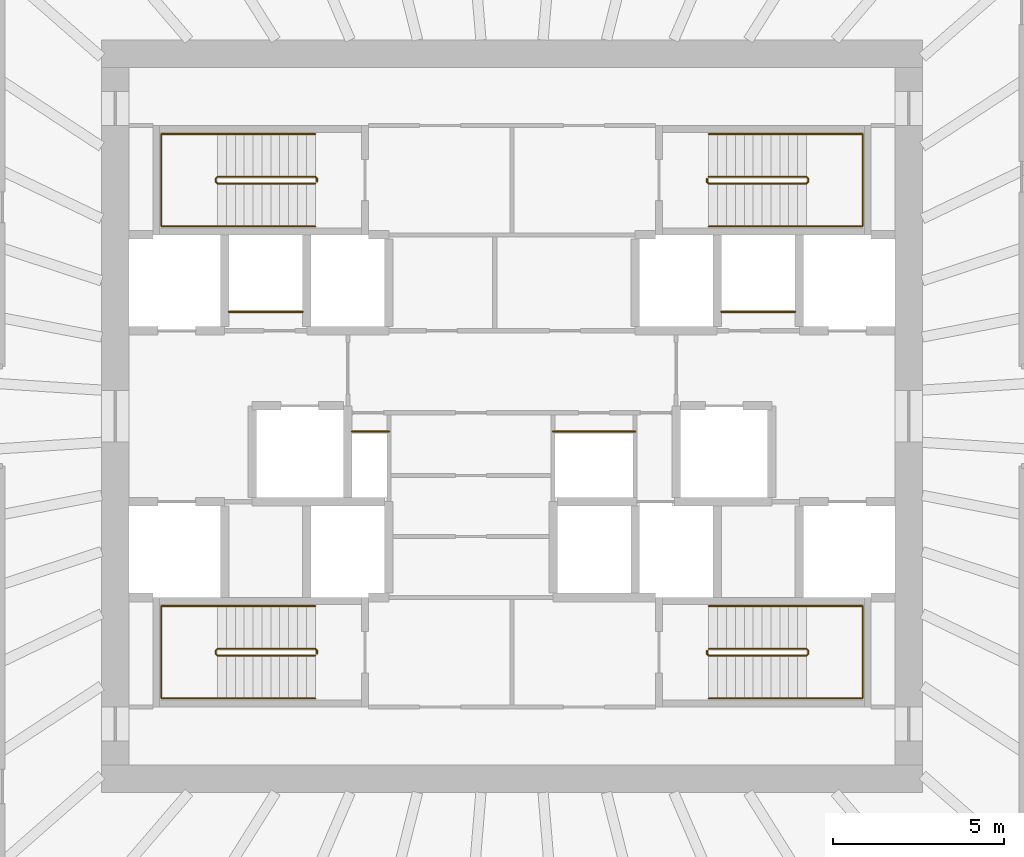
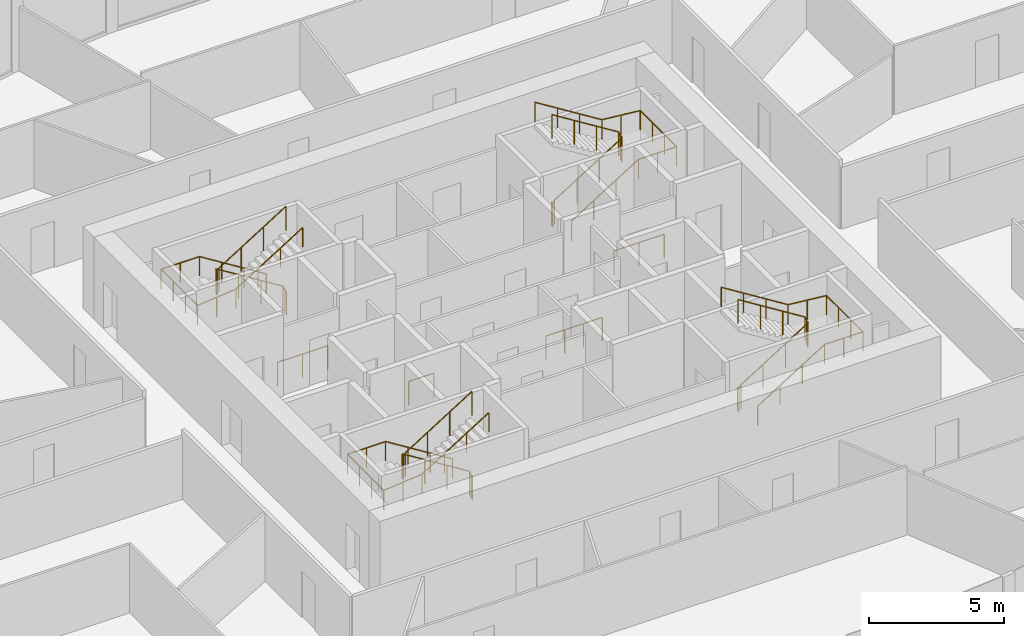
# One storey, part 12 of 12: 12 railings.
"""IFC4 building model written with IfcOpenShell, lengths in metres."""

from ifc_helpers import new_model, si_unit, direction, frame, origin, origin_2d, place, context, subcontext, project, spatial, circle, extrude, source, transform, mapped, material, type_object, element, save


model = new_model("IFC4")

# Units and contexts
model_context = context("Model", 3, precision=1e-05, world=origin(), true_north=direction((0.0, 1.0)))
body_context = subcontext(model_context, "Body", "Model", "MODEL_VIEW")
ifc_project = project(units=[si_unit("LENGTHUNIT", "METRE"), si_unit("AREAUNIT", "SQUARE_METRE"), si_unit("VOLUMEUNIT", "CUBIC_METRE"), si_unit("PLANEANGLEUNIT", "RADIAN"), si_unit("MASSUNIT", "GRAM", prefix="KILO")], contexts=[model_context])

# Site, building, storey
site_placement = place(None, origin())
site = spatial("IfcSite", under=ifc_project, at=site_placement, CompositionType="ELEMENT")
building_placement = place(site_placement, origin())
building = spatial("IfcBuilding", under=site, at=building_placement, Name="Embergate Tower", CompositionType="ELEMENT")
storey_placement = place(building_placement, frame((0.0, 0.0, 222.89990234375)))
storey = spatial("IfcBuildingStorey", under=building, at=storey_placement, Name="L51", CompositionType="ELEMENT", Elevation=222.89990234375)

# Railings
ifc_material_1 = material(Name="Stair guard 1100")
railing_type_1 = type_object("IfcRailingType", Name="Stair guard 1100", PredefinedType="GUARDRAIL", material=ifc_material_1)
shared_shape_1 = source(origin(), body_context, "Body", "SweptSolid", [
    extrude(circle(Radius=0.02392578125, at=origin_2d()), frame((0.0, 0.0, 1.076171875), z_axis=(0.0, 1.0, 0.0), x_axis=(-1.0, 0.0, 0.0)), (0.0, 0.0, 1.0), 0.099853515625),
    extrude(circle(Radius=0.02392578125, at=origin_2d()), frame((0.0, 0.099853515625, 1.076171875), z_axis=(-0.282227285176, 0.282227285176, 0.916894497205), x_axis=(-0.707106781187, -0.707106781187, 0.0)), (0.0, 0.0, 1.0), 0.17724609375),
    extrude(circle(Radius=0.02392578125, at=origin_2d()), frame((-0.050048828125, 0.14990234375, 1.23876953125), z_axis=(-0.847994237388, 0.0, 0.530005446535), x_axis=(0.0, -1.0, 0.0)), (0.0, 0.0, 1.0), 3.372802734375),
    extrude(circle(Radius=0.02392578125, at=origin_2d()), frame((-2.91015625, 0.14990234375, 3.0263671875), z_axis=(-0.705375805398, -0.708833529934, 0.0), x_axis=(0.708833529934, -0.705375805398, 0.0)), (0.0, 0.0, 1.0), 0.070556640625),
    extrude(circle(Radius=0.02392578125, at=origin_2d()), frame((-2.9599609375, 0.099853515625, 3.0263671875), z_axis=(0.0, -1.0, 0.0), x_axis=(1.0, 0.0, 0.0)), (0.0, 0.0, 1.0), 0.099853515625),
    extrude(circle(Radius=0.02392578125, at=origin_2d()), frame((-2.9599609375, 0.0, 3.0263671875), z_axis=(0.281314826061, -0.282693820306, 0.917031173188), x_axis=(0.708833529934, 0.705375805398, 0.0)), (0.0, 0.0, 1.0), 0.177001953125),
    extrude(circle(Radius=0.02392578125, at=origin_2d()), frame((-2.91015625, -0.050048828125, 3.1884765625), z_axis=(0.847994237388, 0.0, 0.530005446535), x_axis=(0.0, 1.0, 0.0)), (0.0, 0.0, 1.0), 3.372802734375),
    extrude(circle(Radius=0.02099609375, at=origin_2d()), origin(), (0.0, 0.0, 1.0), 1.052001953125),
    extrude(circle(Radius=0.02099609375, at=origin_2d()), frame((0.0, 0.099853515625, 0.0)), (0.0, 0.0, 1.0), 1.052001953125),
    extrude(circle(Radius=0.02099609375, at=origin_2d()), frame((-0.050048828125, 0.14990234375, 0.16259765625)), (0.0, 0.0, 1.0), 1.052001953125),
    extrude(circle(Radius=0.02099609375, at=origin_2d()), frame((-1.00341796875, 0.14990234375, 0.758544921875)), (0.0, 0.0, 1.0), 1.052001953125),
    extrude(circle(Radius=0.02099609375, at=origin_2d()), frame((-1.956787109375, 0.14990234375, 1.354248046875)), (0.0, 0.0, 1.0), 1.052001953125),
    extrude(circle(Radius=0.02099609375, at=origin_2d()), frame((-2.91015625, 0.14990234375, 1.9501953125)), (0.0, 0.0, 1.0), 1.052001953125),
    extrude(circle(Radius=0.02099609375, at=origin_2d()), frame((-2.9599609375, 0.099853515625, 1.9501953125)), (0.0, 0.0, 1.0), 1.052001953125),
    extrude(circle(Radius=0.02099609375, at=origin_2d()), frame((-2.9599609375, 0.0, 1.9501953125)), (0.0, 0.0, 1.0), 1.052001953125),
    extrude(circle(Radius=0.02099609375, at=origin_2d()), frame((-2.91015625, -0.050048828125, 2.112548828125)), (0.0, 0.0, 1.0), 1.052001953125),
    extrude(circle(Radius=0.02099609375, at=origin_2d()), frame((-1.956787109375, -0.050048828125, 2.70849609375)), (0.0, 0.0, 1.0), 1.052001953125),
    extrude(circle(Radius=0.02099609375, at=origin_2d()), frame((-1.00341796875, -0.050048828125, 3.30419921875)), (0.0, 0.0, 1.0), 1.052001953125),
    extrude(circle(Radius=0.02099609375, at=origin_2d()), frame((-0.050048828125, -0.050048828125, 3.900146484375)), (0.0, 0.0, 1.0), 1.052001953125),
])
for number, where, name in (
    (1, (-5.699951171875, 6.85009765625, 0.0), "L51 ST1 stair guard 1"),
    (2, (-5.699951171875, -6.949951171875, 0.0), "L51 ST3 stair guard 1"),
):
    element("IfcRailing", number, at=place(storey_placement, frame(where)), inside=storey, type_object=railing_type_1, Name=name, PredefinedType="GUARDRAIL", context=body_context, shape_type="MappedRepresentation", body=[
        mapped(shared_shape_1, transform((0.0, 0.0, 0.0))),
    ])
ifc_material_2 = material(Name="Stair handrail 900")
railing_type_2 = type_object("IfcRailingType", Name="Stair handrail 900", PredefinedType="HANDRAIL", material=ifc_material_2)
shared_shape_2 = source(origin(), body_context, "Body", "SweptSolid", [
    extrude(circle(Radius=0.02392578125, at=origin_2d()), frame((0.0, 0.0, 0.8759765625), z_axis=(-0.847994237388, 0.0, 0.530005446535), x_axis=(0.0, -1.0, 0.0)), (0.0, 0.0, 1.0), 3.372802734375),
    extrude(circle(Radius=0.02392578125, at=origin_2d()), frame((-2.860107421875, 0.0, 2.66357421875), z_axis=(-1.0, 0.0, 0.0), x_axis=(0.0, -1.0, 0.0)), (0.0, 0.0, 1.0), 1.639892578125),
    extrude(circle(Radius=0.02392578125, at=origin_2d()), frame((-4.5, 0.0, 2.66357421875), z_axis=(0.0, -1.0, 0.0), x_axis=(1.0, 0.0, 0.0)), (0.0, 0.0, 1.0), 2.699951171875),
    extrude(circle(Radius=0.02392578125, at=origin_2d()), frame((-4.5, -2.699951171875, 2.66357421875), z_axis=(0.995134983717, 0.0, 0.098520881967), x_axis=(0.0, 1.0, 0.0)), (0.0, 0.0, 1.0), 1.64794921875),
    extrude(circle(Radius=0.02392578125, at=origin_2d()), frame((-2.860107421875, -2.699951171875, 2.82568359375), z_axis=(0.847994237388, 0.0, 0.530005446535), x_axis=(0.0, 1.0, 0.0)), (0.0, 0.0, 1.0), 3.372802734375),
    extrude(circle(Radius=0.02099609375, at=origin_2d()), origin(), (0.0, 0.0, 1.0), 0.851806640625),
    extrude(circle(Radius=0.02099609375, at=origin_2d()), frame((-0.953369140625, 0.0, 0.595947265625)), (0.0, 0.0, 1.0), 0.851806640625),
    extrude(circle(Radius=0.02099609375, at=origin_2d()), frame((-1.90673828125, 0.0, 1.191650390625)), (0.0, 0.0, 1.0), 0.851806640625),
    extrude(circle(Radius=0.02099609375, at=origin_2d()), frame((-2.860107421875, 0.0, 1.78759765625)), (0.0, 0.0, 1.0), 0.851806640625),
    extrude(circle(Radius=0.02099609375, at=origin_2d()), frame((-3.68017578125, 0.0, 1.78759765625)), (0.0, 0.0, 1.0), 0.851806640625),
    extrude(circle(Radius=0.02099609375, at=origin_2d()), frame((-4.5, 0.0, 1.78759765625)), (0.0, 0.0, 1.0), 0.851806640625),
    extrude(circle(Radius=0.02099609375, at=origin_2d()), frame((-4.5, -0.89990234375, 1.78759765625)), (0.0, 0.0, 1.0), 0.851806640625),
    extrude(circle(Radius=0.02099609375, at=origin_2d()), frame((-4.5, -1.800048828125, 1.78759765625)), (0.0, 0.0, 1.0), 0.851806640625),
    extrude(circle(Radius=0.02099609375, at=origin_2d()), frame((-4.5, -2.699951171875, 1.78759765625)), (0.0, 0.0, 1.0), 0.851806640625),
    extrude(circle(Radius=0.02099609375, at=origin_2d()), frame((-3.68017578125, -2.699951171875, 1.86865234375)), (0.0, 0.0, 1.0), 0.851806640625),
    extrude(circle(Radius=0.02099609375, at=origin_2d()), frame((-2.860107421875, -2.699951171875, 1.949951171875)), (0.0, 0.0, 1.0), 0.851806640625),
    extrude(circle(Radius=0.02099609375, at=origin_2d()), frame((-1.90673828125, -2.699951171875, 2.5458984375)), (0.0, 0.0, 1.0), 0.851806640625),
    extrude(circle(Radius=0.02099609375, at=origin_2d()), frame((-0.953369140625, -2.699951171875, 3.1416015625)), (0.0, 0.0, 1.0), 0.851806640625),
    extrude(circle(Radius=0.02099609375, at=origin_2d()), frame((0.0, -2.699951171875, 3.737548828125)), (0.0, 0.0, 1.0), 0.851806640625),
])
for number, where, name in (
    (3, (-5.75, 8.25, 0.16259765625), "L51 ST1 stair handrail 1"),
    (4, (-5.75, -5.550048828125, 0.16259765625), "L51 ST3 stair handrail 1"),
):
    element("IfcRailing", number, at=place(storey_placement, frame(where)), inside=storey, type_object=railing_type_2, Name=name, PredefinedType="HANDRAIL", context=body_context, shape_type="MappedRepresentation", body=[
        mapped(shared_shape_2, transform((0.0, 0.0, 0.0))),
    ])
shared_shape_3 = source(origin(), body_context, "Body", "SweptSolid", [
    extrude(circle(Radius=0.02392578125, at=origin_2d()), frame((0.0, 0.0, 1.076171875), z_axis=(0.0, -1.0, 0.0), x_axis=(1.0, 0.0, 0.0)), (0.0, 0.0, 1.0), 0.099853515625),
    extrude(circle(Radius=0.02392578125, at=origin_2d()), frame((0.0, -0.099853515625, 1.076171875), z_axis=(0.282227285176, -0.282227285176, 0.916894497205), x_axis=(0.707106781187, 0.707106781187, 0.0)), (0.0, 0.0, 1.0), 0.17724609375),
    extrude(circle(Radius=0.02392578125, at=origin_2d()), frame((0.050048828125, -0.14990234375, 1.23876953125), z_axis=(0.847994237388, 0.0, 0.530005446535), x_axis=(0.0, 1.0, 0.0)), (0.0, 0.0, 1.0), 3.372802734375),
    extrude(circle(Radius=0.02392578125, at=origin_2d()), frame((2.91015625, -0.14990234375, 3.0263671875), z_axis=(0.705375805398, 0.708833529934, 0.0), x_axis=(-0.708833529934, 0.705375805398, 0.0)), (0.0, 0.0, 1.0), 0.070556640625),
    extrude(circle(Radius=0.02392578125, at=origin_2d()), frame((2.9599609375, -0.099853515625, 3.0263671875), z_axis=(0.0, 1.0, 0.0), x_axis=(-1.0, 0.0, 0.0)), (0.0, 0.0, 1.0), 0.099853515625),
    extrude(circle(Radius=0.02392578125, at=origin_2d()), frame((2.9599609375, 0.0, 3.0263671875), z_axis=(-0.281314826061, 0.282693820306, 0.917031173188), x_axis=(-0.708833529934, -0.705375805398, 0.0)), (0.0, 0.0, 1.0), 0.177001953125),
    extrude(circle(Radius=0.02392578125, at=origin_2d()), frame((2.91015625, 0.050048828125, 3.1884765625), z_axis=(-0.847994237388, 0.0, 0.530005446535), x_axis=(0.0, -1.0, 0.0)), (0.0, 0.0, 1.0), 3.372802734375),
    extrude(circle(Radius=0.02099609375, at=origin_2d()), origin(), (0.0, 0.0, 1.0), 1.052001953125),
    extrude(circle(Radius=0.02099609375, at=origin_2d()), frame((0.0, -0.099853515625, 0.0)), (0.0, 0.0, 1.0), 1.052001953125),
    extrude(circle(Radius=0.02099609375, at=origin_2d()), frame((0.050048828125, -0.14990234375, 0.16259765625)), (0.0, 0.0, 1.0), 1.052001953125),
    extrude(circle(Radius=0.02099609375, at=origin_2d()), frame((1.00341796875, -0.14990234375, 0.758544921875)), (0.0, 0.0, 1.0), 1.052001953125),
    extrude(circle(Radius=0.02099609375, at=origin_2d()), frame((1.956787109375, -0.14990234375, 1.354248046875)), (0.0, 0.0, 1.0), 1.052001953125),
    extrude(circle(Radius=0.02099609375, at=origin_2d()), frame((2.91015625, -0.14990234375, 1.9501953125)), (0.0, 0.0, 1.0), 1.052001953125),
    extrude(circle(Radius=0.02099609375, at=origin_2d()), frame((2.9599609375, -0.099853515625, 1.9501953125)), (0.0, 0.0, 1.0), 1.052001953125),
    extrude(circle(Radius=0.02099609375, at=origin_2d()), frame((2.9599609375, 0.0, 1.9501953125)), (0.0, 0.0, 1.0), 1.052001953125),
    extrude(circle(Radius=0.02099609375, at=origin_2d()), frame((2.91015625, 0.050048828125, 2.112548828125)), (0.0, 0.0, 1.0), 1.052001953125),
    extrude(circle(Radius=0.02099609375, at=origin_2d()), frame((1.956787109375, 0.050048828125, 2.70849609375)), (0.0, 0.0, 1.0), 1.052001953125),
    extrude(circle(Radius=0.02099609375, at=origin_2d()), frame((1.00341796875, 0.050048828125, 3.30419921875)), (0.0, 0.0, 1.0), 1.052001953125),
    extrude(circle(Radius=0.02099609375, at=origin_2d()), frame((0.050048828125, 0.050048828125, 3.900146484375)), (0.0, 0.0, 1.0), 1.052001953125),
])
for number, where, name in (
    (5, (5.699951171875, 6.949951171875, 0.0), "L51 ST2 stair guard 1"),
    (6, (5.699951171875, -6.85009765625, 0.0), "L51 ST4 stair guard 1"),
):
    element("IfcRailing", number, at=place(storey_placement, frame(where)), inside=storey, type_object=railing_type_1, Name=name, PredefinedType="GUARDRAIL", context=body_context, shape_type="MappedRepresentation", body=[
        mapped(shared_shape_3, transform((0.0, 0.0, 0.0))),
    ])
shared_shape_4 = source(origin(), body_context, "Body", "SweptSolid", [
    extrude(circle(Radius=0.02392578125, at=origin_2d()), frame((0.0, 0.0, 0.8759765625), z_axis=(0.847994237388, 0.0, 0.530005446535), x_axis=(0.0, 1.0, 0.0)), (0.0, 0.0, 1.0), 3.372802734375),
    extrude(circle(Radius=0.02392578125, at=origin_2d()), frame((2.860107421875, 0.0, 2.66357421875), z_axis=(1.0, 0.0, 0.0), x_axis=(0.0, 1.0, 0.0)), (0.0, 0.0, 1.0), 1.639892578125),
    extrude(circle(Radius=0.02392578125, at=origin_2d()), frame((4.5, 0.0, 2.66357421875), z_axis=(0.0, 1.0, 0.0), x_axis=(-1.0, 0.0, 0.0)), (0.0, 0.0, 1.0), 2.699951171875),
    extrude(circle(Radius=0.02392578125, at=origin_2d()), frame((4.5, 2.699951171875, 2.66357421875), z_axis=(-0.995134983717, 0.0, 0.098520881967), x_axis=(0.0, -1.0, 0.0)), (0.0, 0.0, 1.0), 1.64794921875),
    extrude(circle(Radius=0.02392578125, at=origin_2d()), frame((2.860107421875, 2.699951171875, 2.82568359375), z_axis=(-0.847994237388, 0.0, 0.530005446535), x_axis=(0.0, -1.0, 0.0)), (0.0, 0.0, 1.0), 3.372802734375),
    extrude(circle(Radius=0.02099609375, at=origin_2d()), origin(), (0.0, 0.0, 1.0), 0.851806640625),
    extrude(circle(Radius=0.02099609375, at=origin_2d()), frame((0.953369140625, 0.0, 0.595947265625)), (0.0, 0.0, 1.0), 0.851806640625),
    extrude(circle(Radius=0.02099609375, at=origin_2d()), frame((1.90673828125, 0.0, 1.191650390625)), (0.0, 0.0, 1.0), 0.851806640625),
    extrude(circle(Radius=0.02099609375, at=origin_2d()), frame((2.860107421875, 0.0, 1.78759765625)), (0.0, 0.0, 1.0), 0.851806640625),
    extrude(circle(Radius=0.02099609375, at=origin_2d()), frame((3.68017578125, 0.0, 1.78759765625)), (0.0, 0.0, 1.0), 0.851806640625),
    extrude(circle(Radius=0.02099609375, at=origin_2d()), frame((4.5, 0.0, 1.78759765625)), (0.0, 0.0, 1.0), 0.851806640625),
    extrude(circle(Radius=0.02099609375, at=origin_2d()), frame((4.5, 0.89990234375, 1.78759765625)), (0.0, 0.0, 1.0), 0.851806640625),
    extrude(circle(Radius=0.02099609375, at=origin_2d()), frame((4.5, 1.800048828125, 1.78759765625)), (0.0, 0.0, 1.0), 0.851806640625),
    extrude(circle(Radius=0.02099609375, at=origin_2d()), frame((4.5, 2.699951171875, 1.78759765625)), (0.0, 0.0, 1.0), 0.851806640625),
    extrude(circle(Radius=0.02099609375, at=origin_2d()), frame((3.68017578125, 2.699951171875, 1.86865234375)), (0.0, 0.0, 1.0), 0.851806640625),
    extrude(circle(Radius=0.02099609375, at=origin_2d()), frame((2.860107421875, 2.699951171875, 1.949951171875)), (0.0, 0.0, 1.0), 0.851806640625),
    extrude(circle(Radius=0.02099609375, at=origin_2d()), frame((1.90673828125, 2.699951171875, 2.5458984375)), (0.0, 0.0, 1.0), 0.851806640625),
    extrude(circle(Radius=0.02099609375, at=origin_2d()), frame((0.953369140625, 2.699951171875, 3.1416015625)), (0.0, 0.0, 1.0), 0.851806640625),
    extrude(circle(Radius=0.02099609375, at=origin_2d()), frame((0.0, 2.699951171875, 3.737548828125)), (0.0, 0.0, 1.0), 0.851806640625),
])
for number, where, name in (
    (7, (5.75, 5.550048828125, 0.16259765625), "L51 ST2 stair handrail 1"),
    (8, (5.75, -8.25, 0.16259765625), "L51 ST4 stair handrail 1"),
):
    element("IfcRailing", number, at=place(storey_placement, frame(where)), inside=storey, type_object=railing_type_2, Name=name, PredefinedType="HANDRAIL", context=body_context, shape_type="MappedRepresentation", body=[
        mapped(shared_shape_4, transform((0.0, 0.0, 0.0))),
    ])
ifc_material_3 = material(Name="Opening guard 1100")
railing_type_3 = type_object("IfcRailingType", Name="Opening guard 1100", PredefinedType="GUARDRAIL", material=ifc_material_3)
shared_shape_5 = source(origin(), body_context, "Body", "SweptSolid", [
    extrude(circle(Radius=0.02392578125, at=origin_2d()), frame((0.0, 0.0, 1.076171875), z_axis=(1.0, 0.0, 0.0), x_axis=(0.0, 1.0, 0.0)), (0.0, 0.0, 1.0), 2.14990234375),
    extrude(circle(Radius=0.02099609375, at=origin_2d()), origin(), (0.0, 0.0, 1.0), 1.052001953125),
    extrude(circle(Radius=0.02099609375, at=origin_2d()), frame((1.074951171875, 0.0, 0.0)), (0.0, 0.0, 1.0), 1.052001953125),
    extrude(circle(Radius=0.02099609375, at=origin_2d()), frame((2.14990234375, 0.0, 0.0)), (0.0, 0.0, 1.0), 1.052001953125),
])
for number, where, name in (
    (9, (-8.27490234375, 3.050048828125, 0.0), "Riser opening guard"),
    (10, (6.125, 3.050048828125, 0.0), "Riser opening guard"),
):
    element("IfcRailing", number, at=place(storey_placement, frame(where)), inside=storey, type_object=railing_type_3, Name=name, PredefinedType="GUARDRAIL", context=body_context, shape_type="MappedRepresentation", body=[
        mapped(shared_shape_5, transform((0.0, 0.0, 0.0))),
    ])
shared_shape_6 = source(origin(), body_context, "Body", "SweptSolid", [
    extrude(circle(Radius=0.02392578125, at=origin_2d()), frame((0.0, 0.0, 1.076171875), z_axis=(1.0, 0.0, 0.0), x_axis=(0.0, 1.0, 0.0)), (0.0, 0.0, 1.0), 1.074951171875),
    extrude(circle(Radius=0.02099609375, at=origin_2d()), origin(), (0.0, 0.0, 1.0), 1.052001953125),
    extrude(circle(Radius=0.02099609375, at=origin_2d()), frame((1.074951171875, 0.0, 0.0)), (0.0, 0.0, 1.0), 1.052001953125),
])
railing_1_placement = place(storey_placement, frame((-4.675048828125, -0.449951171875, 0.0)))
element("IfcRailing", 11, at=railing_1_placement, inside=storey, type_object=railing_type_3, Name="Riser opening guard", PredefinedType="GUARDRAIL", context=body_context, shape_type="MappedRepresentation", body=[
    mapped(shared_shape_6, transform((0.0, 0.0, 0.0))),
])
shared_shape_7 = source(origin(), body_context, "Body", "SweptSolid", [
    extrude(circle(Radius=0.02392578125, at=origin_2d()), frame((0.0, 0.0, 1.076171875), z_axis=(1.0, 0.0, 0.0), x_axis=(0.0, 1.0, 0.0)), (0.0, 0.0, 1.0), 2.400146484375),
    extrude(circle(Radius=0.02099609375, at=origin_2d()), origin(), (0.0, 0.0, 1.0), 1.052001953125),
    extrude(circle(Radius=0.02099609375, at=origin_2d()), frame((0.800048828125, 0.0, 0.0)), (0.0, 0.0, 1.0), 1.052001953125),
    extrude(circle(Radius=0.02099609375, at=origin_2d()), frame((1.60009765625, 0.0, 0.0)), (0.0, 0.0, 1.0), 1.052001953125),
    extrude(circle(Radius=0.02099609375, at=origin_2d()), frame((2.400146484375, 0.0, 0.0)), (0.0, 0.0, 1.0), 1.052001953125),
])
railing_2_placement = place(storey_placement, frame((1.199951171875, -0.449951171875, 0.0)))
element("IfcRailing", 12, at=railing_2_placement, inside=storey, type_object=railing_type_3, Name="Riser opening guard", PredefinedType="GUARDRAIL", context=body_context, shape_type="MappedRepresentation", body=[
    mapped(shared_shape_7, transform((0.0, 0.0, 0.0))),
])

save(model, "model.ifc")
